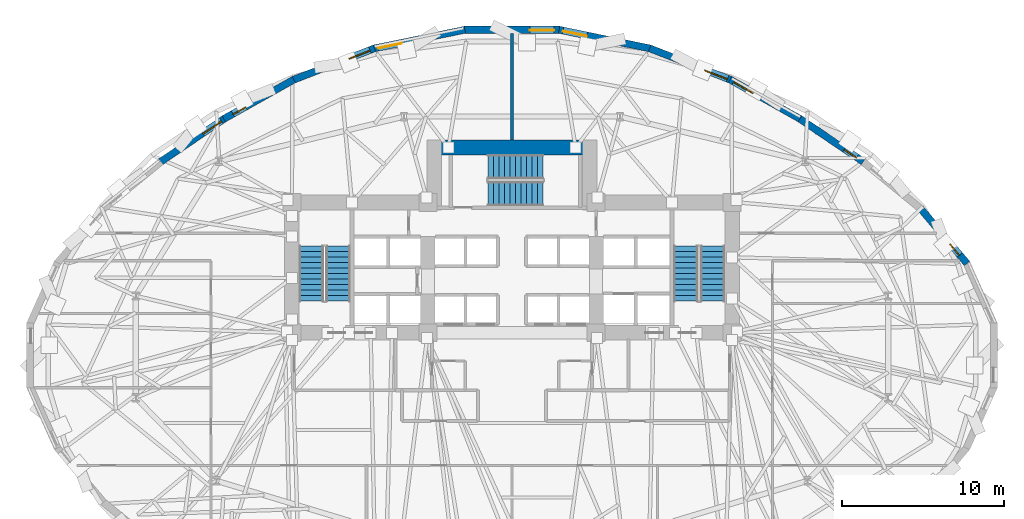
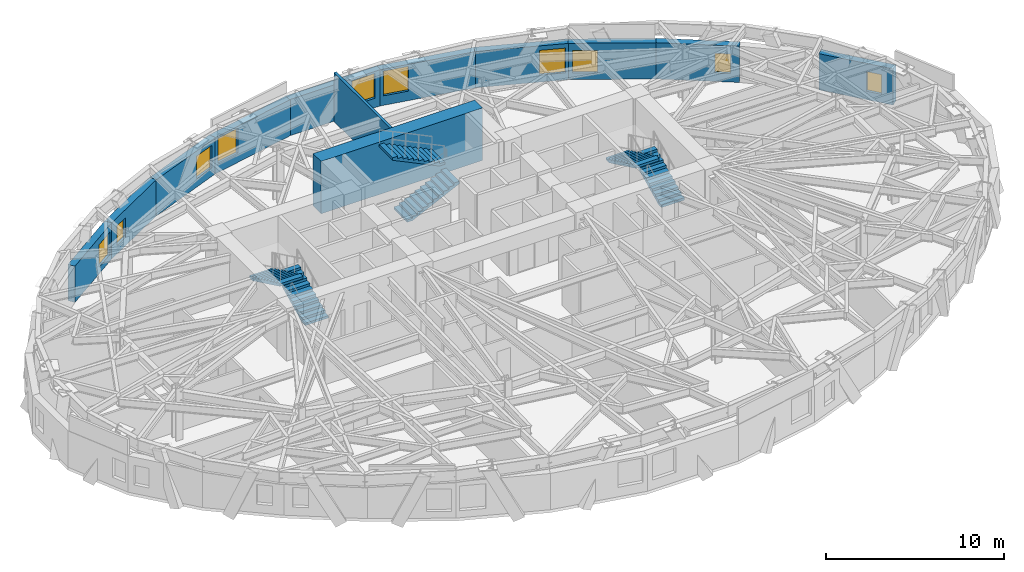
# One storey, part 10 of 14: 12 walls, 10 windows, 6 stair flights, 10 openings, 3 elements without a shape of their own.
"""IFC4 building model written with IfcOpenShell, lengths in metres."""

from ifc_helpers import new_model, si_unit, direction, frame, frame_2d, origin, place, context, subcontext, project, spatial, polyline, rectangle, outline, extrude, material, layer, layer_set, type_object, element, fill, aggregate, save


model = new_model("IFC4")

# Units and contexts
model_context = context("Model", 3, precision=1e-05, world=origin(), true_north=direction((0.0, 1.0)))
body_context = subcontext(model_context, "Body", "Model", "MODEL_VIEW")
ifc_project = project(units=[si_unit("LENGTHUNIT", "METRE"), si_unit("AREAUNIT", "SQUARE_METRE"), si_unit("VOLUMEUNIT", "CUBIC_METRE"), si_unit("PLANEANGLEUNIT", "RADIAN"), si_unit("MASSUNIT", "GRAM", prefix="KILO")], contexts=[model_context])

# Site, building, storey
site_placement = place(None, origin())
site = spatial("IfcSite", under=ifc_project, at=site_placement, CompositionType="ELEMENT")
building_placement = place(site_placement, origin())
building = spatial("IfcBuilding", under=site, at=building_placement, Name="Keldmark Tower", CompositionType="ELEMENT")
storey_placement = place(building_placement, frame((0.0, 0.0, 73.800048828125)))
storey = spatial("IfcBuildingStorey", under=building, at=storey_placement, Name="L19", CompositionType="ELEMENT", Elevation=73.800048828125)

# Walls
ifc_material_1 = material(Name="STC-58 Insulated Tenant Demising Gypsum Partition", Category="gypsum")
ifc_layer_1 = layer(ifc_material_1, 0.175048828125)
ifc_layer_set_1 = layer_set([ifc_layer_1], Name="STC-58 Insulated Tenant Demising Gypsum Partition")
wall_type_1 = type_object("IfcWallType", Name="Demising Suite Partition 175 mm", PredefinedType="PARTITIONING", material=ifc_layer_set_1)
wall_1_placement = place(storey_placement, frame((0.0, 13.300048828125, 0.0), z_axis=(0.0, 0.0, 1.0), x_axis=(0.0, 1.0, 0.0)))
element("IfcWall", 1, at=wall_1_placement, inside=storey, type_object=wall_type_1, Name="L19 Demising Suite Partition 175 mm N-MID-DIV", PredefinedType="PARTITIONING", context=body_context, shape_type="SweptSolid", body=[
    extrude(rectangle(XDim=6.59716796875, YDim=0.175048828125, at=frame_2d((3.298583984375, 0.0))), origin(), (0.0, 0.0, 1.0), 3.35986328125),
])
ifc_material_2 = material(Name="Concrete C70/85", Category="concrete")
ifc_layer_2 = layer(ifc_material_2, 0.89990234375)
ifc_layer_set_2 = layer_set([ifc_layer_2], Name="Concrete C70/85")
wall_type_2 = type_object("IfcWallType", Name="Lower Core Shear Wall 900 mm", PredefinedType="SHEAR", material=ifc_layer_set_2)
wall_2_placement = place(storey_placement, frame((-5.25, 12.85009765625, 0.0), z_axis=(0.0, 0.0, 1.0), x_axis=(1.0, 0.0, 0.0)))
element("IfcWall", 2, at=wall_2_placement, inside=storey, type_object=wall_type_2, Name="L19 North Core Shear Wall", PredefinedType="SHEAR", context=body_context, shape_type="SweptSolid", body=[
    extrude(rectangle(XDim=10.5, YDim=0.89990234375, at=frame_2d((5.25, 0.0))), origin(), (0.0, 0.0, 1.0), 3.599853515625),
])

# Wall, opening, window
ifc_material_3 = material(Name="Ironspot Manganese Brick and Kasota Buff Limestone Spandrel Assembly", Category="masonry")
ifc_layer_3 = layer(ifc_material_3, 0.43994140625)
ifc_layer_set_3 = layer_set([ifc_layer_3], Name="Ironspot Manganese Brick and Kasota Buff Limestone Spandrel Assembly")
wall_type_3 = type_object("IfcWallType", Name="Tower Brick Pier and Spandrel Wall 440 mm", PredefinedType="STANDARD", material=ifc_layer_set_3)
wall_3_placement = place(storey_placement, frame((25.2578125, 9.073486328125, 0.0), z_axis=(0.0, 0.0, 1.0), x_axis=(0.645698517297, -0.763592446767, 0.0)))
wall_3 = element("IfcWall", 3, at=wall_3_placement, inside=storey, type_object=wall_type_3, Name="L19 Exterior Brick and Spandrel Wall 02", PredefinedType="STANDARD", context=body_context, shape_type="SweptSolid", body=[
    extrude(rectangle(XDim=4.446044921875, YDim=0.43994140625, at=frame_2d((2.22314453125, 0.0))), origin(), (0.0, 0.0, 1.0), 2.489013671875),
])
opening_1_placement = place(wall_3_placement, frame((2.8466796875, 0.0, 0.580078125)))
opening_1 = element("IfcOpeningElement", 4, at=opening_1_placement, cuts=wall_3, Name="Opening W-09", PredefinedType="OPENING", context=body_context, shape_type="SweptSolid", body=[
    extrude(rectangle(XDim=0.89990234375, YDim=1.35009765625, at=frame_2d((0.449951171875, 0.675048828125))), frame((0.0, 0.22998046875, 0.0), z_axis=(0.0, -1.0, 0.0), x_axis=(1.0, 0.0, 0.0)), (0.0, 0.0, 1.0), 0.4599609375),
])
ifc_material_4 = material(Name="Thermally Broken Anodized Aluminum and Triple Low-E Argon Glazing", Category="aluminium")
window_type_1 = type_object("IfcWindowType", Name="Corner Pier Deep-Set Window 900x1350", PartitioningType="SINGLE_PANEL", PredefinedType="WINDOW", material=ifc_material_4)
window_1_placement = place(opening_1_placement, origin())
window_1 = element("IfcWindow", 5, at=window_1_placement, inside=storey, type_object=window_type_1, Name="L19 Deep-Set Window 02", OverallHeight=1.35009765625, OverallWidth=0.89990234375, PartitioningType="SINGLE_PANEL", PredefinedType="WINDOW", context=body_context, shape_type="SweptSolid", body=[
    extrude(rectangle(XDim=0.89990234375, YDim=1.35009765625, at=frame_2d((0.449951171875, 0.675048828125))), frame((0.0, -0.010009765625, 0.0), z_axis=(0.0, -1.0, 0.0), x_axis=(1.0, 0.0, 0.0)), (0.0, 0.0, 1.0), 0.06005859375),
])
fill(opening_1, window_1)

wall_4_placement = place(storey_placement, frame((17.798583984375, 14.6259765625, 0.0), z_axis=(0.0, 0.0, 1.0), x_axis=(0.827650405372, -0.561243981249, 0.0)))
wall_4 = element("IfcWall", 6, at=wall_4_placement, inside=storey, type_object=wall_type_3, Name="L19 Exterior Brick and Spandrel Wall 04", PredefinedType="STANDARD", context=body_context, shape_type="SweptSolid", body=[
    extrude(rectangle(XDim=4.7314453125, YDim=0.43994140625, at=frame_2d((2.36572265625, 0.0))), origin(), (0.0, 0.0, 1.0), 2.492919921875),
])
opening_2_placement = place(wall_4_placement, frame((3.3330078125, 0.0, 0.580078125)))
opening_2 = element("IfcOpeningElement", 7, at=opening_2_placement, cuts=wall_4, Name="Opening W-09", PredefinedType="OPENING", context=body_context, shape_type="SweptSolid", body=[
    extrude(rectangle(XDim=0.89990234375, YDim=1.35009765625, at=frame_2d((0.449951171875, 0.675048828125))), frame((0.0, 0.22998046875, 0.0), z_axis=(0.0, -1.0, 0.0), x_axis=(1.0, 0.0, 0.0)), (0.0, 0.0, 1.0), 0.4599609375),
])
window_2_placement = place(opening_2_placement, origin())
window_2 = element("IfcWindow", 8, at=window_2_placement, inside=storey, type_object=window_type_1, Name="L19 Deep-Set Window 04", OverallHeight=1.35009765625, OverallWidth=0.89990234375, PartitioningType="SINGLE_PANEL", PredefinedType="WINDOW", context=body_context, shape_type="SweptSolid", body=[
    extrude(rectangle(XDim=0.89990234375, YDim=1.35009765625, at=frame_2d((0.449951171875, 0.675048828125))), frame((0.0, -0.010009765625, 0.0), z_axis=(0.0, -1.0, 0.0), x_axis=(1.0, 0.0, 0.0)), (0.0, 0.0, 1.0), 0.06005859375),
])
fill(opening_2, window_2)

wall_5_placement = place(storey_placement, frame((13.482666015625, 17.049072265625, 0.0), z_axis=(0.0, 0.0, 1.0), x_axis=(0.871887714573, -0.489705843519, 0.0)))
wall_5 = element("IfcWall", 9, at=wall_5_placement, inside=storey, type_object=wall_type_3, Name="L19 Exterior Brick and Spandrel Wall 05", PredefinedType="STANDARD", context=body_context, shape_type="SweptSolid", body=[
    extrude(rectangle(XDim=4.968017578125, YDim=0.43994140625, at=frame_2d((2.48388671875, 0.0))), origin(), (0.0, 0.0, 1.0), 2.489013671875),
])
opening_3_placement = place(wall_5_placement, frame((0.24951171875, 0.0, 0.449951171875)))
opening_3 = element("IfcOpeningElement", 10, at=opening_3_placement, cuts=wall_5, Name="Opening W-08", PredefinedType="OPENING", context=body_context, shape_type="SweptSolid", body=[
    extrude(rectangle(XDim=1.39990234375, YDim=1.550048828125, at=frame_2d((0.699951171875, 0.77490234375))), frame((0.0, 0.22998046875, 0.0), z_axis=(0.0, -1.0, 0.0), x_axis=(1.0, 0.0, 0.0)), (0.0, 0.0, 1.0), 0.4599609375),
])
ifc_material_5 = material(Name="Thermally Broken Anodized Aluminum and Triple Low-E Argon Glazing", Category="aluminium")
window_type_2 = type_object("IfcWindowType", Name="Residential Corner Punched Window 1400x1550", PartitioningType="SINGLE_PANEL", PredefinedType="WINDOW", material=ifc_material_5)
window_3_placement = place(opening_3_placement, origin())
window_3 = element("IfcWindow", 11, at=window_3_placement, inside=storey, type_object=window_type_2, Name="L19 Deep-Set Window 05", OverallHeight=1.550048828125, OverallWidth=1.39990234375, PartitioningType="SINGLE_PANEL", PredefinedType="WINDOW", context=body_context, shape_type="SweptSolid", body=[
    extrude(rectangle(XDim=1.39990234375, YDim=1.550048828125, at=frame_2d((0.699951171875, 0.77490234375))), frame((0.0, -0.010009765625, 0.0), z_axis=(0.0, -1.0, 0.0), x_axis=(1.0, 0.0, 0.0)), (0.0, 0.0, 1.0), 0.06005859375),
])
fill(opening_3, window_3)

wall_6_placement = place(storey_placement, frame((8.50390625, 18.982421875, 0.0), z_axis=(0.0, 0.0, 1.0), x_axis=(0.932040489001, -0.362354145641, 0.0)))
wall_6 = element("IfcWall", 12, at=wall_6_placement, inside=storey, type_object=wall_type_3, Name="L19 Exterior Brick and Spandrel Wall 06", PredefinedType="STANDARD", context=body_context, shape_type="SweptSolid", body=[
    extrude(rectangle(XDim=5.371826171875, YDim=0.43994140625, at=frame_2d((2.68603515625, 0.0))), origin(), (0.0, 0.0, 1.0), 2.489013671875),
])
opening_4_placement = place(wall_6_placement, frame((3.671875, 0.0, 0.47998046875)))
opening_4 = element("IfcOpeningElement", 13, at=opening_4_placement, cuts=wall_6, Name="Opening W-03", PredefinedType="OPENING", context=body_context, shape_type="SweptSolid", body=[
    extrude(rectangle(XDim=1.5, YDim=1.699951171875, at=frame_2d((0.75, 0.85009765625))), frame((0.0, 0.22998046875, 0.0), z_axis=(0.0, -1.0, 0.0), x_axis=(1.0, 0.0, 0.0)), (0.0, 0.0, 1.0), 0.4599609375),
])
ifc_material_6 = material(Name="Thermally Broken Anodized Aluminum and Triple Low-E Argon Glazing", Category="aluminium")
window_type_3 = type_object("IfcWindowType", Name="Office Corner Deep-Set Window 1500x1700", PartitioningType="DOUBLE_PANEL_VERTICAL", PredefinedType="WINDOW", material=ifc_material_6)
window_4_placement = place(opening_4_placement, origin())
window_4 = element("IfcWindow", 14, at=window_4_placement, inside=storey, type_object=window_type_3, Name="L19 Deep-Set Window 06", OverallHeight=1.699951171875, OverallWidth=1.5, PartitioningType="SINGLE_PANEL", PredefinedType="WINDOW", context=body_context, shape_type="SweptSolid", body=[
    extrude(rectangle(XDim=1.5, YDim=1.699951171875, at=frame_2d((0.75, 0.85009765625))), frame((0.0, -0.010009765625, 0.0), z_axis=(0.0, -1.0, 0.0), x_axis=(1.0, 0.0, 0.0)), (0.0, 0.0, 1.0), 0.06005859375),
])
fill(opening_4, window_4)

wall_7_placement = place(storey_placement, frame((2.910888671875, 20.1298828125, 0.0), z_axis=(0.0, 0.0, 1.0), x_axis=(0.979485663347, -0.201513858821, 0.0)))
wall_7 = element("IfcWall", 15, at=wall_7_placement, inside=storey, type_object=wall_type_3, Name="L19 Exterior Brick and Spandrel Wall 07", PredefinedType="STANDARD", context=body_context, shape_type="SweptSolid", body=[
    extrude(rectangle(XDim=5.746337890625, YDim=0.43994140625, at=frame_2d((2.873046875, 0.0))), origin(), (0.0, 0.0, 1.0), 2.489013671875),
])
opening_5_placement = place(wall_7_placement, frame((0.25, 0.0, 0.64990234375)))
opening_5 = element("IfcOpeningElement", 16, at=opening_5_placement, cuts=wall_7, Name="Opening W-03", PredefinedType="OPENING", context=body_context, shape_type="SweptSolid", body=[
    extrude(rectangle(XDim=1.5, YDim=1.699951171875, at=frame_2d((0.75, 0.85009765625))), frame((0.0, 0.22998046875, 0.0), z_axis=(0.0, -1.0, 0.0), x_axis=(1.0, 0.0, 0.0)), (0.0, 0.0, 1.0), 0.4599609375),
])
window_5_placement = place(opening_5_placement, origin())
window_5 = element("IfcWindow", 17, at=window_5_placement, inside=storey, type_object=window_type_3, Name="L19 Deep-Set Window 07", OverallHeight=1.699951171875, OverallWidth=1.5, PartitioningType="SINGLE_PANEL", PredefinedType="WINDOW", context=body_context, shape_type="SweptSolid", body=[
    extrude(rectangle(XDim=1.5, YDim=1.699951171875, at=frame_2d((0.75, 0.85009765625))), frame((0.0, -0.010009765625, 0.0), z_axis=(0.0, -1.0, 0.0), x_axis=(1.0, 0.0, 0.0)), (0.0, 0.0, 1.0), 0.06005859375),
])
fill(opening_5, window_5)

wall_8_placement = place(storey_placement, frame((-2.955078125, 20.125244140625, 0.0), z_axis=(0.0, 0.0, 1.0), x_axis=(1.0, 0.0, 0.0)))
wall_8 = element("IfcWall", 18, at=wall_8_placement, inside=storey, type_object=wall_type_3, Name="L19 Exterior Brick and Spandrel Wall 08", PredefinedType="STANDARD", context=body_context, shape_type="SweptSolid", body=[
    extrude(rectangle(XDim=5.91015625, YDim=0.43994140625, at=frame_2d((2.955078125, 0.0))), origin(), (0.0, 0.0, 1.0), 2.492919921875),
])
opening_6_placement = place(wall_8_placement, frame((4.06201171875, 0.0, 0.64990234375)))
opening_6 = element("IfcOpeningElement", 19, at=opening_6_placement, cuts=wall_8, Name="Opening W-03", PredefinedType="OPENING", context=body_context, shape_type="SweptSolid", body=[
    extrude(rectangle(XDim=1.5, YDim=1.699951171875, at=frame_2d((0.75, 0.85009765625))), frame((0.0, 0.22998046875, 0.0), z_axis=(0.0, -1.0, 0.0), x_axis=(1.0, 0.0, 0.0)), (0.0, 0.0, 1.0), 0.4599609375),
])
window_6_placement = place(opening_6_placement, origin())
window_6 = element("IfcWindow", 20, at=window_6_placement, inside=storey, type_object=window_type_3, Name="L19 Deep-Set Window 08", OverallHeight=1.699951171875, OverallWidth=1.5, PartitioningType="SINGLE_PANEL", PredefinedType="WINDOW", context=body_context, shape_type="SweptSolid", body=[
    extrude(rectangle(XDim=1.5, YDim=1.699951171875, at=frame_2d((0.75, 0.85009765625))), frame((0.0, -0.010009765625, 0.0), z_axis=(0.0, -1.0, 0.0), x_axis=(1.0, 0.0, 0.0)), (0.0, 0.0, 1.0), 0.06005859375),
])
fill(opening_6, window_6)

wall_9_placement = place(storey_placement, frame((-8.539306640625, 18.971923828125, 0.0), z_axis=(0.0, 0.0, 1.0), x_axis=(0.979485663347, 0.201513858821, 0.0)))
wall_9 = element("IfcWall", 21, at=wall_9_placement, inside=storey, type_object=wall_type_3, Name="L19 Exterior Brick and Spandrel Wall 09", PredefinedType="STANDARD", context=body_context, shape_type="SweptSolid", body=[
    extrude(rectangle(XDim=5.746337890625, YDim=0.43994140625, at=frame_2d((2.873046875, 0.0))), origin(), (0.0, 0.0, 1.0), 2.489013671875),
])
opening_7_placement = place(wall_9_placement, frame((0.25, 0.0, 0.64990234375)))
opening_7 = element("IfcOpeningElement", 22, at=opening_7_placement, cuts=wall_9, Name="Opening W-03", PredefinedType="OPENING", context=body_context, shape_type="SweptSolid", body=[
    extrude(rectangle(XDim=1.5, YDim=1.699951171875, at=frame_2d((0.75, 0.85009765625))), frame((0.0, 0.22998046875, 0.0), z_axis=(0.0, -1.0, 0.0), x_axis=(1.0, 0.0, 0.0)), (0.0, 0.0, 1.0), 0.4599609375),
])
window_7_placement = place(opening_7_placement, origin())
window_7 = element("IfcWindow", 23, at=window_7_placement, inside=storey, type_object=window_type_3, Name="L19 Deep-Set Window 09", OverallHeight=1.699951171875, OverallWidth=1.5, PartitioningType="SINGLE_PANEL", PredefinedType="WINDOW", context=body_context, shape_type="SweptSolid", body=[
    extrude(rectangle(XDim=1.5, YDim=1.699951171875, at=frame_2d((0.75, 0.85009765625))), frame((0.0, -0.010009765625, 0.0), z_axis=(0.0, -1.0, 0.0), x_axis=(1.0, 0.0, 0.0)), (0.0, 0.0, 1.0), 0.06005859375),
])
fill(opening_7, window_7)

wall_10_placement = place(storey_placement, frame((-13.5107421875, 17.035888671875, 0.0), z_axis=(0.0, 0.0, 1.0), x_axis=(0.932040489001, 0.362354145641, 0.0)))
wall_10 = element("IfcWall", 24, at=wall_10_placement, inside=storey, type_object=wall_type_3, Name="L19 Exterior Brick and Spandrel Wall 10", PredefinedType="STANDARD", context=body_context, shape_type="SweptSolid", body=[
    extrude(rectangle(XDim=5.371826171875, YDim=0.43994140625, at=frame_2d((2.68603515625, 0.0))), origin(), (0.0, 0.0, 1.0), 2.489013671875),
])
opening_8_placement = place(wall_10_placement, frame((3.672607421875, 0.0, 0.580078125)))
opening_8 = element("IfcOpeningElement", 25, at=opening_8_placement, cuts=wall_10, Name="Opening W-08", PredefinedType="OPENING", context=body_context, shape_type="SweptSolid", body=[
    extrude(rectangle(XDim=1.39990234375, YDim=1.550048828125, at=frame_2d((0.699951171875, 0.77490234375))), frame((0.0, 0.22998046875, 0.0), z_axis=(0.0, -1.0, 0.0), x_axis=(1.0, 0.0, 0.0)), (0.0, 0.0, 1.0), 0.4599609375),
])
window_8_placement = place(opening_8_placement, origin())
window_8 = element("IfcWindow", 26, at=window_8_placement, inside=storey, type_object=window_type_2, Name="L19 Deep-Set Window 10", OverallHeight=1.550048828125, OverallWidth=1.39990234375, PartitioningType="SINGLE_PANEL", PredefinedType="WINDOW", context=body_context, shape_type="SweptSolid", body=[
    extrude(rectangle(XDim=1.39990234375, YDim=1.550048828125, at=frame_2d((0.699951171875, 0.77490234375))), frame((0.0, -0.010009765625, 0.0), z_axis=(0.0, -1.0, 0.0), x_axis=(1.0, 0.0, 0.0)), (0.0, 0.0, 1.0), 0.06005859375),
])
fill(opening_8, window_8)

wall_11_placement = place(storey_placement, frame((-17.814208984375, 14.6162109375, 0.0), z_axis=(0.0, 0.0, 1.0), x_axis=(0.871887714573, 0.489705843519, 0.0)))
wall_11 = element("IfcWall", 27, at=wall_11_placement, inside=storey, type_object=wall_type_3, Name="L19 Exterior Brick and Spandrel Wall 11", PredefinedType="STANDARD", context=body_context, shape_type="SweptSolid", body=[
    extrude(rectangle(XDim=4.968017578125, YDim=0.43994140625, at=frame_2d((2.48388671875, 0.0))), origin(), (0.0, 0.0, 1.0), 2.489013671875),
])
opening_9_placement = place(wall_11_placement, frame((0.64599609375, 0.0, 0.580078125)))
opening_9 = element("IfcOpeningElement", 28, at=opening_9_placement, cuts=wall_11, Name="Opening W-09", PredefinedType="OPENING", context=body_context, shape_type="SweptSolid", body=[
    extrude(rectangle(XDim=0.89990234375, YDim=1.35009765625, at=frame_2d((0.449951171875, 0.675048828125))), frame((0.0, 0.22998046875, 0.0), z_axis=(0.0, -1.0, 0.0), x_axis=(1.0, 0.0, 0.0)), (0.0, 0.0, 1.0), 0.4599609375),
])
window_9_placement = place(opening_9_placement, origin())
window_9 = element("IfcWindow", 29, at=window_9_placement, inside=storey, type_object=window_type_1, Name="L19 Deep-Set Window 11", OverallHeight=1.35009765625, OverallWidth=0.89990234375, PartitioningType="SINGLE_PANEL", PredefinedType="WINDOW", context=body_context, shape_type="SweptSolid", body=[
    extrude(rectangle(XDim=0.89990234375, YDim=1.35009765625, at=frame_2d((0.449951171875, 0.675048828125))), frame((0.0, -0.010009765625, 0.0), z_axis=(0.0, -1.0, 0.0), x_axis=(1.0, 0.0, 0.0)), (0.0, 0.0, 1.0), 0.06005859375),
])
fill(opening_9, window_9)

wall_12_placement = place(storey_placement, frame((-21.714599609375, 11.970458984375, 0.0), z_axis=(0.0, 0.0, 1.0), x_axis=(0.827650405372, 0.561243981249, 0.0)))
wall_12 = element("IfcWall", 30, at=wall_12_placement, inside=storey, type_object=wall_type_3, Name="L19 Exterior Brick and Spandrel Wall 12", PredefinedType="STANDARD", context=body_context, shape_type="SweptSolid", body=[
    extrude(rectangle(XDim=4.7314453125, YDim=0.43994140625, at=frame_2d((2.36572265625, 0.0))), origin(), (0.0, 0.0, 1.0), 2.492919921875),
])
opening_10_placement = place(wall_12_placement, frame((3.131591796875, 0.0, 0.449951171875)))
opening_10 = element("IfcOpeningElement", 31, at=opening_10_placement, cuts=wall_12, Name="Opening W-08", PredefinedType="OPENING", context=body_context, shape_type="SweptSolid", body=[
    extrude(rectangle(XDim=1.39990234375, YDim=1.550048828125, at=frame_2d((0.699951171875, 0.77490234375))), frame((0.0, 0.22998046875, 0.0), z_axis=(0.0, -1.0, 0.0), x_axis=(1.0, 0.0, 0.0)), (0.0, 0.0, 1.0), 0.4599609375),
])
window_10_placement = place(opening_10_placement, origin())
window_10 = element("IfcWindow", 32, at=window_10_placement, inside=storey, type_object=window_type_2, Name="L19 Deep-Set Window 12", OverallHeight=1.550048828125, OverallWidth=1.39990234375, PartitioningType="SINGLE_PANEL", PredefinedType="WINDOW", context=body_context, shape_type="SweptSolid", body=[
    extrude(rectangle(XDim=1.39990234375, YDim=1.550048828125, at=frame_2d((0.699951171875, 0.77490234375))), frame((0.0, -0.010009765625, 0.0), z_axis=(0.0, -1.0, 0.0), x_axis=(1.0, 0.0, 0.0)), (0.0, 0.0, 1.0), 0.06005859375),
])
fill(opening_10, window_10)

# Stair, stair flights
ifc_material_7 = material(Name="Concrete C40/50", Category="concrete")
stair_type = type_object("IfcStairType", Name="Precast Concrete Core Exit Stair", PredefinedType="HALF_TURN_STAIR", material=ifc_material_7)
stair_1_placement = place(storey_placement, origin())
stair_1 = element("IfcStair", 33, at=stair_1_placement, inside=storey, type_object=stair_type, Name="L19 Exit Stair ST1", PredefinedType="HALF_TURN_STAIR")
ifc_material_8 = material(Name="Concrete C40/50", Category="concrete")
stair_flight_type = type_object("IfcStairFlightType", Name="Precast Concrete Stair Flight 1500 mm", PredefinedType="STRAIGHT", material=ifc_material_8)
stair_flight_1_placement = place(storey_placement, frame((-10.75, 3.35009765625, 0.0), z_axis=(0.0, 0.0, 1.0), x_axis=(0.0, 1.0, 0.0)))
stair_flight_1 = element("IfcStairFlight", 34, at=stair_flight_1_placement, type_object=stair_flight_type, Name="ST1 flight 1", NumberOfRisers=11, NumberOfTreads=10, PredefinedType="STRAIGHT", RiserHeight=0.163636364, TreadLength=0.34, context=body_context, shape_type="SweptSolid", body=[
    extrude(outline(polyline([(0.0, 0.0), (0.0, 0.16357421875), (0.340087890625, 0.16357421875), (0.340087890625, 0.327392578125), (0.679931640625, 0.327392578125), (0.679931640625, 0.490966796875), (1.02001953125, 0.490966796875), (1.02001953125, 0.654541015625), (1.360107421875, 0.654541015625), (1.360107421875, 0.818115234375), (1.699951171875, 0.818115234375), (1.699951171875, 0.98193359375), (2.0400390625, 0.98193359375), (2.0400390625, 1.1455078125), (2.3798828125, 1.1455078125), (2.3798828125, 1.30908203125), (2.719970703125, 1.30908203125), (2.719970703125, 1.47265625), (3.06005859375, 1.47265625), (3.06005859375, 1.636474609375), (3.39990234375, 1.636474609375), (3.39990234375, 1.800048828125), (3.39990234375, 1.469970703125), (0.345703125, 0.0), (0.0, 0.0)])), frame((0.0, 0.75, 0.0), z_axis=(0.0, -1.0, 0.0), x_axis=(1.0, 0.0, 0.0)), (0.0, 0.0, 1.0), 1.5),
])
stair_flight_2_placement = place(storey_placement, frame((-12.39990234375, 6.75, 1.800048828125), z_axis=(0.0, 0.0, 1.0), x_axis=(0.0, -1.0, 0.0)))
stair_flight_2 = element("IfcStairFlight", 35, at=stair_flight_2_placement, type_object=stair_flight_type, Name="ST1 flight 2", NumberOfRisers=11, NumberOfTreads=10, PredefinedType="STRAIGHT", RiserHeight=0.163636364, TreadLength=0.34, context=body_context, shape_type="SweptSolid", body=[
    extrude(outline(polyline([(0.0, 0.0), (0.0, 0.16357421875), (0.340087890625, 0.16357421875), (0.340087890625, 0.327392578125), (0.679931640625, 0.327392578125), (0.679931640625, 0.490966796875), (1.02001953125, 0.490966796875), (1.02001953125, 0.654541015625), (1.360107421875, 0.654541015625), (1.360107421875, 0.818115234375), (1.699951171875, 0.818115234375), (1.699951171875, 0.98193359375), (2.0400390625, 0.98193359375), (2.0400390625, 1.1455078125), (2.3798828125, 1.1455078125), (2.3798828125, 1.30908203125), (2.719970703125, 1.30908203125), (2.719970703125, 1.47265625), (3.06005859375, 1.47265625), (3.06005859375, 1.636474609375), (3.39990234375, 1.636474609375), (3.39990234375, 1.800048828125), (3.39990234375, 1.469970703125), (0.345703125, 0.0), (0.0, 0.0)])), frame((0.0, 0.75, 0.0), z_axis=(0.0, -1.0, 0.0), x_axis=(1.0, 0.0, 0.0)), (0.0, 0.0, 1.0), 1.5),
])
aggregate(stair_1, [stair_flight_1, stair_flight_2])

stair_2_placement = place(storey_placement, origin())
stair_2 = element("IfcStair", 36, at=stair_2_placement, inside=storey, type_object=stair_type, Name="L19 Exit Stair ST2", PredefinedType="HALF_TURN_STAIR")
stair_flight_3_placement = place(storey_placement, frame((12.39990234375, 3.35009765625, 0.0), z_axis=(0.0, 0.0, 1.0), x_axis=(0.0, 1.0, 0.0)))
stair_flight_3 = element("IfcStairFlight", 37, at=stair_flight_3_placement, type_object=stair_flight_type, Name="ST2 flight 1", NumberOfRisers=11, NumberOfTreads=10, PredefinedType="STRAIGHT", RiserHeight=0.163636364, TreadLength=0.34, context=body_context, shape_type="SweptSolid", body=[
    extrude(outline(polyline([(0.0, 0.0), (0.0, 0.16357421875), (0.340087890625, 0.16357421875), (0.340087890625, 0.327392578125), (0.679931640625, 0.327392578125), (0.679931640625, 0.490966796875), (1.02001953125, 0.490966796875), (1.02001953125, 0.654541015625), (1.360107421875, 0.654541015625), (1.360107421875, 0.818115234375), (1.699951171875, 0.818115234375), (1.699951171875, 0.98193359375), (2.0400390625, 0.98193359375), (2.0400390625, 1.1455078125), (2.3798828125, 1.1455078125), (2.3798828125, 1.30908203125), (2.719970703125, 1.30908203125), (2.719970703125, 1.47265625), (3.06005859375, 1.47265625), (3.06005859375, 1.636474609375), (3.39990234375, 1.636474609375), (3.39990234375, 1.800048828125), (3.39990234375, 1.469970703125), (0.345703125, 0.0), (0.0, 0.0)])), frame((0.0, 0.75, 0.0), z_axis=(0.0, -1.0, 0.0), x_axis=(1.0, 0.0, 0.0)), (0.0, 0.0, 1.0), 1.5),
])
stair_flight_4_placement = place(storey_placement, frame((10.75, 6.75, 1.800048828125), z_axis=(0.0, 0.0, 1.0), x_axis=(0.0, -1.0, 0.0)))
stair_flight_4 = element("IfcStairFlight", 38, at=stair_flight_4_placement, type_object=stair_flight_type, Name="ST2 flight 2", NumberOfRisers=11, NumberOfTreads=10, PredefinedType="STRAIGHT", RiserHeight=0.163636364, TreadLength=0.34, context=body_context, shape_type="SweptSolid", body=[
    extrude(outline(polyline([(0.0, 0.0), (0.0, 0.16357421875), (0.340087890625, 0.16357421875), (0.340087890625, 0.327392578125), (0.679931640625, 0.327392578125), (0.679931640625, 0.490966796875), (1.02001953125, 0.490966796875), (1.02001953125, 0.654541015625), (1.360107421875, 0.654541015625), (1.360107421875, 0.818115234375), (1.699951171875, 0.818115234375), (1.699951171875, 0.98193359375), (2.0400390625, 0.98193359375), (2.0400390625, 1.1455078125), (2.3798828125, 1.1455078125), (2.3798828125, 1.30908203125), (2.719970703125, 1.30908203125), (2.719970703125, 1.47265625), (3.06005859375, 1.47265625), (3.06005859375, 1.636474609375), (3.39990234375, 1.636474609375), (3.39990234375, 1.800048828125), (3.39990234375, 1.469970703125), (0.345703125, 0.0), (0.0, 0.0)])), frame((0.0, 0.75, 0.0), z_axis=(0.0, -1.0, 0.0), x_axis=(1.0, 0.0, 0.0)), (0.0, 0.0, 1.0), 1.5),
])
aggregate(stair_2, [stair_flight_3, stair_flight_4])

stair_3_placement = place(storey_placement, origin())
stair_3 = element("IfcStair", 39, at=stair_3_placement, inside=storey, type_object=stair_type, Name="L19 Exit Stair ST3", PredefinedType="HALF_TURN_STAIR")
stair_flight_5_placement = place(storey_placement, frame((-1.47509765625, 10.0, 0.0), z_axis=(0.0, 0.0, 1.0), x_axis=(1.0, 0.0, 0.0)))
stair_flight_5 = element("IfcStairFlight", 40, at=stair_flight_5_placement, type_object=stair_flight_type, Name="ST3 flight 1", NumberOfRisers=11, NumberOfTreads=10, PredefinedType="STRAIGHT", RiserHeight=0.163636364, TreadLength=0.34, context=body_context, shape_type="SweptSolid", body=[
    extrude(outline(polyline([(0.0, 0.0), (0.0, 0.16357421875), (0.340087890625, 0.16357421875), (0.340087890625, 0.327392578125), (0.679931640625, 0.327392578125), (0.679931640625, 0.490966796875), (1.02001953125, 0.490966796875), (1.02001953125, 0.654541015625), (1.360107421875, 0.654541015625), (1.360107421875, 0.818115234375), (1.699951171875, 0.818115234375), (1.699951171875, 0.98193359375), (2.0400390625, 0.98193359375), (2.0400390625, 1.1455078125), (2.3798828125, 1.1455078125), (2.3798828125, 1.30908203125), (2.719970703125, 1.30908203125), (2.719970703125, 1.47265625), (3.06005859375, 1.47265625), (3.06005859375, 1.636474609375), (3.39990234375, 1.636474609375), (3.39990234375, 1.800048828125), (3.39990234375, 1.469970703125), (0.345703125, 0.0), (0.0, 0.0)])), frame((0.0, 0.75, 0.0), z_axis=(0.0, -1.0, 0.0), x_axis=(1.0, 0.0, 0.0)), (0.0, 0.0, 1.0), 1.5),
])
stair_flight_6_placement = place(storey_placement, frame((1.925048828125, 11.64990234375, 1.800048828125), z_axis=(0.0, 0.0, 1.0), x_axis=(-1.0, 0.0, 0.0)))
stair_flight_6 = element("IfcStairFlight", 41, at=stair_flight_6_placement, type_object=stair_flight_type, Name="ST3 flight 2", NumberOfRisers=11, NumberOfTreads=10, PredefinedType="STRAIGHT", RiserHeight=0.163636364, TreadLength=0.34, context=body_context, shape_type="SweptSolid", body=[
    extrude(outline(polyline([(0.0, 0.0), (0.0, 0.16357421875), (0.340087890625, 0.16357421875), (0.340087890625, 0.327392578125), (0.679931640625, 0.327392578125), (0.679931640625, 0.490966796875), (1.02001953125, 0.490966796875), (1.02001953125, 0.654541015625), (1.360107421875, 0.654541015625), (1.360107421875, 0.818115234375), (1.699951171875, 0.818115234375), (1.699951171875, 0.98193359375), (2.0400390625, 0.98193359375), (2.0400390625, 1.1455078125), (2.3798828125, 1.1455078125), (2.3798828125, 1.30908203125), (2.719970703125, 1.30908203125), (2.719970703125, 1.47265625), (3.06005859375, 1.47265625), (3.06005859375, 1.636474609375), (3.39990234375, 1.636474609375), (3.39990234375, 1.800048828125), (3.39990234375, 1.469970703125), (0.345703125, 0.0), (0.0, 0.0)])), frame((0.0, 0.75, 0.0), z_axis=(0.0, -1.0, 0.0), x_axis=(1.0, 0.0, 0.0)), (0.0, 0.0, 1.0), 1.5),
])
aggregate(stair_3, [stair_flight_5, stair_flight_6])

save(model, "model.ifc")
